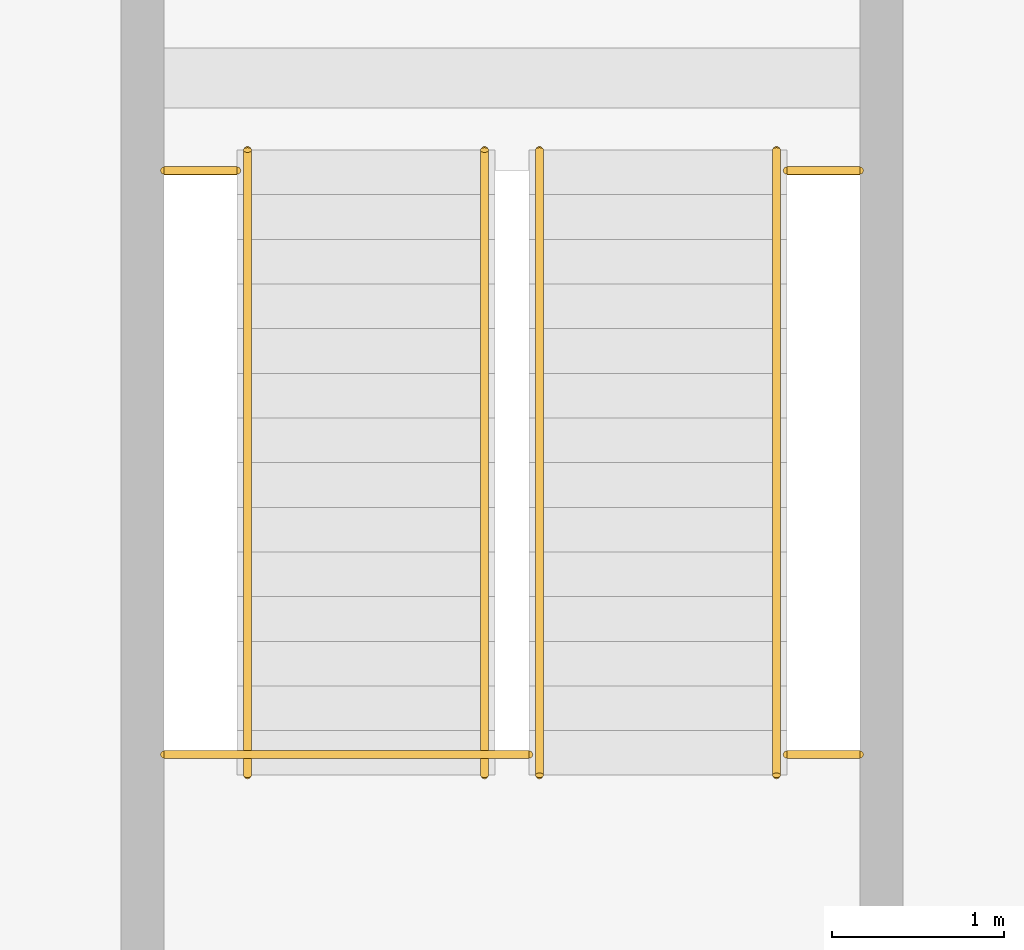
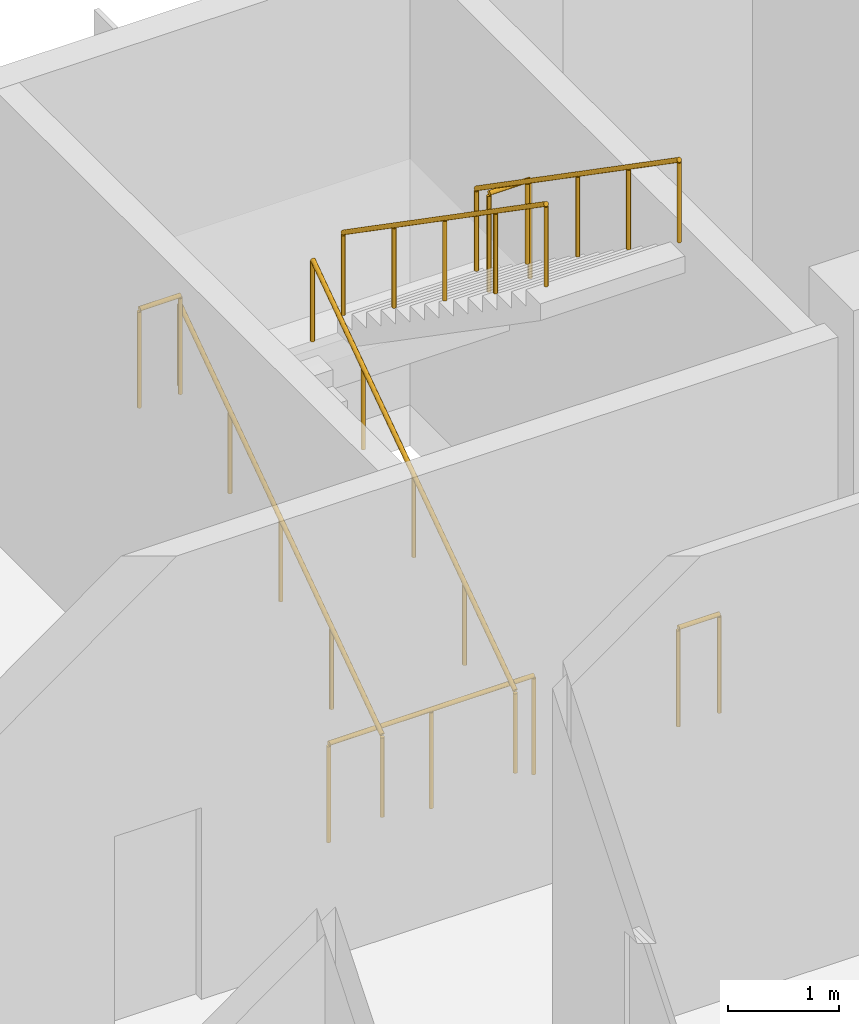
# One storey, part 33 of 33: 8 railings.
"""IFC4 building model written with IfcOpenShell, lengths in metres."""

from ifc_helpers import new_model, si_unit, direction, frame, origin, origin_2d, place, context, subcontext, project, spatial, circle, extrude, material, type_object, element, save


model = new_model("IFC4")

# Units and contexts
model_context = context("Model", 3, precision=1e-05, world=origin(), true_north=direction((0.0, 1.0)))
body_context = subcontext(model_context, "Body", "Model", "MODEL_VIEW")
ifc_project = project(units=[si_unit("LENGTHUNIT", "METRE"), si_unit("AREAUNIT", "SQUARE_METRE"), si_unit("VOLUMEUNIT", "CUBIC_METRE"), si_unit("PLANEANGLEUNIT", "RADIAN"), si_unit("MASSUNIT", "GRAM", prefix="KILO")], contexts=[model_context])

# Site, building, storey
site_placement = place(None, origin())
site = spatial("IfcSite", under=ifc_project, at=site_placement, CompositionType="ELEMENT")
building_placement = place(site_placement, origin())
building = spatial("IfcBuilding", under=site, at=building_placement, Name="Basin Gate Institute", CompositionType="ELEMENT")
storey_placement = place(building_placement, frame((0.0, 0.0, 6.0)))
storey = spatial("IfcBuildingStorey", under=building, at=storey_placement, Name="L01", CompositionType="ELEMENT", Elevation=6.0)

# Railings
ifc_material_1 = material(Name="Stainless steel tube and glass infill", Category="steel")
railing_type_1 = type_object("IfcRailingType", Name="Block railing 1100", PredefinedType="GUARDRAIL", material=ifc_material_1)
railing_placement = place(storey_placement, frame((139.625, 101.2451171875, 0.0)))
element("IfcRailing", 1, at=railing_placement, inside=storey, type_object=railing_type_1, material=ifc_material_1, Name="Guard stairwell ST-C5 L01", PredefinedType="GUARDRAIL", context=body_context, shape_type="SweptSolid", body=[
    extrude(circle(Radius=0.02392578125, at=origin_2d()), frame((0.0, 0.0, 1.076171875), z_axis=(1.0, 0.0, 0.0), x_axis=(0.0, 1.0, 0.0)), (0.0, 0.0, 1.0), 2.125),
    extrude(circle(Radius=0.02099609375, at=origin_2d()), origin(), (0.0, 0.0, 1.0), 1.052001953125),
    extrude(circle(Radius=0.02099609375, at=origin_2d()), frame((1.0625, 0.0, 0.0)), (0.0, 0.0, 1.0), 1.052001953125),
    extrude(circle(Radius=0.02099609375, at=origin_2d()), frame((2.125, 0.0, 0.0)), (0.0, 0.0, 1.0), 1.052001953125),
])
for number, where, name in (
    (2, (143.25, 101.2451171875, 0.0), "Guard stairwell ST-C5 L01 east"),
    (3, (139.625, 104.64501953125, 2.699951171875), "Guard stair landing ST-C6 L01"),
    (4, (143.25, 104.64501953125, 2.699951171875), "Guard stair landing ST-C6 L01"),
):
    element("IfcRailing", number, at=place(storey_placement, frame(where)), inside=storey, type_object=railing_type_1, material=ifc_material_1, Name=name, PredefinedType="GUARDRAIL", context=body_context, shape_type="SweptSolid", body=[
        extrude(circle(Radius=0.02392578125, at=origin_2d()), frame((0.0, 0.0, 1.076171875), z_axis=(1.0, 0.0, 0.0), x_axis=(0.0, 1.0, 0.0)), (0.0, 0.0, 1.0), 0.425048828125),
        extrude(circle(Radius=0.02099609375, at=origin_2d()), origin(), (0.0, 0.0, 1.0), 1.052001953125),
        extrude(circle(Radius=0.02099609375, at=origin_2d()), frame((0.425048828125, 0.0, 0.0)), (0.0, 0.0, 1.0), 1.052001953125),
    ])
ifc_material_2 = material(Name="Stainless steel tube and glass infill", Category="steel")
railing_type_2 = type_object("IfcRailingType", Name="Block railing 920", PredefinedType="HANDRAIL", material=ifc_material_2)
for number, where, name in (
    (5, (140.110107421875, 101.125, 0.179931640625), "Handrail ST-C6 flight 1"),
    (6, (141.489990234375, 101.125, 0.179931640625), "Handrail ST-C6 flight 1"),
):
    element("IfcRailing", number, at=place(storey_placement, frame(where)), inside=storey, type_object=railing_type_2, material=ifc_material_2, Name=name, PredefinedType="HANDRAIL", context=body_context, shape_type="SweptSolid", body=[
        extrude(circle(Radius=0.02392578125, at=origin_2d()), frame((0.0, 0.0, 0.89599609375), z_axis=(0.0, 0.822182265111, 0.569224316888), x_axis=(-1.0, 0.0, 0.0)), (0.0, 0.0, 1.0), 4.427001953125),
        extrude(circle(Radius=0.02099609375, at=origin_2d()), origin(), (0.0, 0.0, 1.0), 0.871826171875),
        extrude(circle(Radius=0.02099609375, at=origin_2d()), frame((0.0, 0.909912109375, 0.6298828125)), (0.0, 0.0, 1.0), 0.871826171875),
        extrude(circle(Radius=0.02099609375, at=origin_2d()), frame((0.0, 1.81982421875, 1.260009765625)), (0.0, 0.0, 1.0), 0.871826171875),
        extrude(circle(Radius=0.02099609375, at=origin_2d()), frame((0.0, 2.72998046875, 1.89013671875)), (0.0, 0.0, 1.0), 0.871826171875),
        extrude(circle(Radius=0.02099609375, at=origin_2d()), frame((0.0, 3.639892578125, 2.52001953125)), (0.0, 0.0, 1.0), 0.871826171875),
    ])
for number, where, name in (
    (7, (141.81005859375, 104.764892578125, 2.8798828125), "Handrail ST-C6 flight 2"),
    (8, (143.18994140625, 104.764892578125, 2.8798828125), "Handrail ST-C6 flight 2"),
):
    element("IfcRailing", number, at=place(storey_placement, frame(where)), inside=storey, type_object=railing_type_2, material=ifc_material_2, Name=name, PredefinedType="HANDRAIL", context=body_context, shape_type="SweptSolid", body=[
        extrude(circle(Radius=0.02392578125, at=origin_2d()), frame((0.0, 0.0, 0.89599609375), z_axis=(0.0, -0.822182265111, 0.569224316888), x_axis=(1.0, 0.0, 0.0)), (0.0, 0.0, 1.0), 4.427001953125),
        extrude(circle(Radius=0.02099609375, at=origin_2d()), origin(), (0.0, 0.0, 1.0), 0.871826171875),
        extrude(circle(Radius=0.02099609375, at=origin_2d()), frame((0.0, -0.909912109375, 0.6298828125)), (0.0, 0.0, 1.0), 0.871826171875),
        extrude(circle(Radius=0.02099609375, at=origin_2d()), frame((0.0, -1.81982421875, 1.260009765625)), (0.0, 0.0, 1.0), 0.871826171875),
        extrude(circle(Radius=0.02099609375, at=origin_2d()), frame((0.0, -2.72998046875, 1.89013671875)), (0.0, 0.0, 1.0), 0.871826171875),
        extrude(circle(Radius=0.02099609375, at=origin_2d()), frame((0.0, -3.639892578125, 2.52001953125)), (0.0, 0.0, 1.0), 0.871826171875),
    ])

save(model, "model.ifc")
